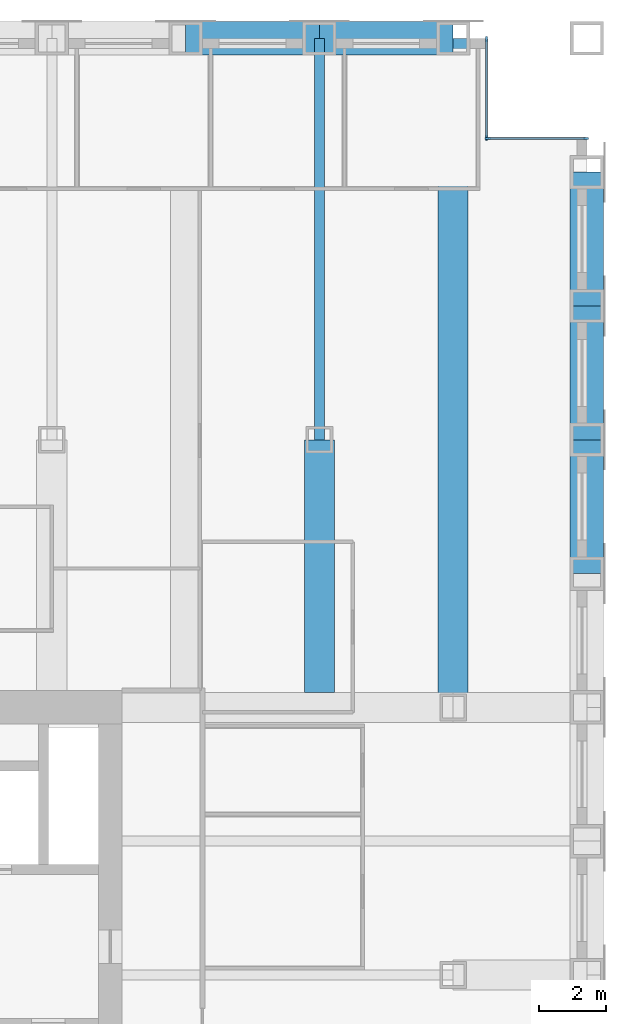
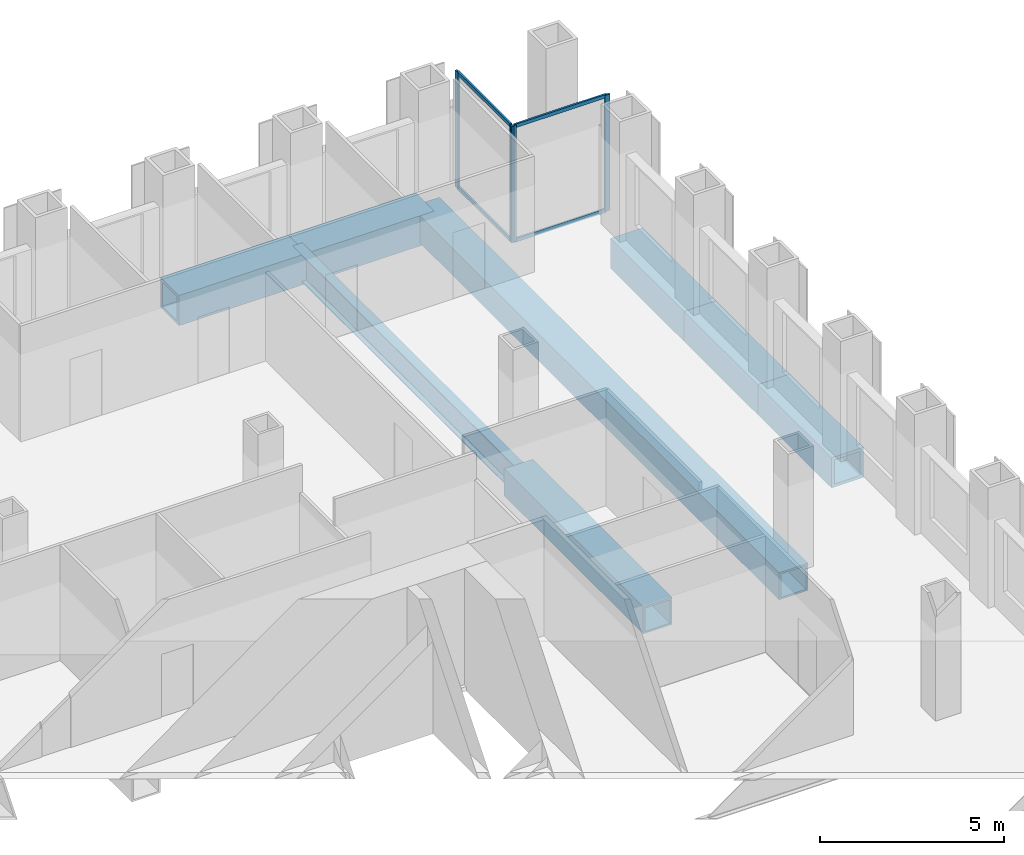
# One storey, part 7 of 13: 8 beams, 8 members, 2 elements without a shape of their own.
"""IFC4 building model written with IfcOpenShell, lengths in metres."""

from ifc_helpers import new_model, si_unit, direction, frame, origin, origin_2d, place, context, subcontext, project, spatial, rectangle, hollow_rectangle, i_section, extrude, material, material_profile, profile_set, type_object, element, aggregate, save


model = new_model("IFC4")

# Units and contexts
model_context = context("Model", 3, precision=1e-05, world=origin(), true_north=direction((0.0, 1.0)))
body_context = subcontext(model_context, "Body", "Model", "MODEL_VIEW")
ifc_project = project(units=[si_unit("LENGTHUNIT", "METRE"), si_unit("AREAUNIT", "SQUARE_METRE"), si_unit("VOLUMEUNIT", "CUBIC_METRE"), si_unit("PLANEANGLEUNIT", "RADIAN"), si_unit("MASSUNIT", "GRAM", prefix="KILO")], contexts=[model_context])

# Site, building, storey
site_placement = place(None, origin())
site = spatial("IfcSite", under=ifc_project, at=site_placement, CompositionType="ELEMENT")
building_placement = place(site_placement, origin())
building = spatial("IfcBuilding", under=site, at=building_placement, Name="Rimbunsela Tower", CompositionType="ELEMENT")
storey_placement = place(building_placement, frame((0.0, 0.0, 214.199951171875)))
storey = spatial("IfcBuildingStorey", under=building, at=storey_placement, Name="L51", CompositionType="ELEMENT", Elevation=214.199951171875)

# Beams
ifc_material_1 = material(Name="Steel BJ 55 (fy 410 MPa)", Category="steel")
ifc_material_profile_1 = material_profile(ifc_material_1, hollow_rectangle(XDim=1.0, YDim=1.0, WallThickness=0.10009765625, at=origin_2d()), Name="BOX 1000x1000x100")
ifc_profile_set_1 = profile_set([ifc_material_profile_1], Name="Steel BJ 55 (fy 410 MPa)")
beam_type_1 = type_object("IfcBeamType", Name="Beam BOX 1000x1000x100", PredefinedType="BEAM", material=ifc_profile_set_1)
for number, where, z_axis, x_axis, name in (
    (1, (38.0, 56.0, -0.64990234375), (1.0, 0.0, 0.0), (0.0, 1.0, 0.0), "Beam B3 L51"),
    (2, (42.0, 56.0, -0.64990234375), (1.0, 0.0, 0.0), (0.0, 1.0, 0.0), "Beam B3 L51"),
    (3, (50.0, 40.0, -0.64990234375), (0.0, 1.0, 0.0), (-1.0, 0.0, 0.0), "Beam B3 L51"),
    (4, (50.0, 44.0, -0.64990234375), (0.0, 1.0, 0.0), (-1.0, 0.0, 0.0), "Beam B3 L51"),
    (5, (50.0, 48.0, -0.64990234375), (0.0, 1.0, 0.0), (-1.0, 0.0, 0.0), "Beam B3 L51"),
):
    element("IfcBeam", number, at=place(storey_placement, frame(where, z_axis=z_axis, x_axis=x_axis)), inside=storey, type_object=beam_type_1, Name=name, PredefinedType="BEAM", context=body_context, shape_type="SweptSolid", body=[
        extrude(hollow_rectangle(XDim=1.0, YDim=1.0, WallThickness=0.10009765625, at=origin_2d()), origin(), (0.0, 0.0, 1.0), 4.0),
    ])
ifc_material_2 = material(Name="Steel BJ 55 (fy 410 MPa)", Category="steel")
ifc_material_profile_2 = material_profile(ifc_material_2, hollow_rectangle(XDim=0.89990234375, YDim=0.89990234375, WallThickness=0.06005859375, at=origin_2d()), Name="BOX 900x900x60")
ifc_profile_set_2 = profile_set([ifc_material_profile_2], Name="Steel BJ 55 (fy 410 MPa)")
beam_type_2 = type_object("IfcBeamType", Name="Beam BOX 900x900x60", PredefinedType="BEAM", material=ifc_profile_set_2)
beam_1_placement = place(storey_placement, frame((42.0, 36.449951171875, -0.599853515625), z_axis=(0.0, 1.0, 0.0), x_axis=(-1.0, 0.0, 0.0)))
element("IfcBeam", 6, at=beam_1_placement, inside=storey, type_object=beam_type_2, Name="Beam B1 L51", PredefinedType="BEAM", context=body_context, shape_type="SweptSolid", body=[
    extrude(hollow_rectangle(XDim=0.89990234375, YDim=0.89990234375, WallThickness=0.06005859375, at=origin_2d()), origin(), (0.0, 0.0, 1.0), 7.550048828125),
])
beam_2_placement = place(storey_placement, frame((46.0, 36.0, -0.599853515625), z_axis=(0.0, 1.0, 0.0), x_axis=(-1.0, 0.0, 0.0)))
element("IfcBeam", 7, at=beam_2_placement, inside=storey, type_object=beam_type_2, Name="Beam B1 L51", PredefinedType="BEAM", context=body_context, shape_type="SweptSolid", body=[
    extrude(hollow_rectangle(XDim=0.89990234375, YDim=0.89990234375, WallThickness=0.06005859375, at=origin_2d()), origin(), (0.0, 0.0, 1.0), 20.0),
])
ifc_material_3 = material(Name="Steel BJ 55 (fy 410 MPa)", Category="steel")
ifc_material_profile_3 = material_profile(ifc_material_3, i_section(OverallWidth=0.300048828125, OverallDepth=0.89990234375, WebThickness=0.01611328125, FlangeThickness=0.028076171875, FilletRadius=0.028076171875, at=origin_2d()), Name="H 900x300x16x28")
ifc_profile_set_3 = profile_set([ifc_material_profile_3], Name="Steel BJ 55 (fy 410 MPa)")
beam_type_3 = type_object("IfcBeamType", Name="Beam H 900x300x16x28", PredefinedType="BEAM", material=ifc_profile_set_3)
beam_3_placement = place(storey_placement, frame((42.0, 44.0, -0.599853515625), z_axis=(0.0, 1.0, 0.0), x_axis=(-1.0, 0.0, 0.0)))
element("IfcBeam", 8, at=beam_3_placement, inside=storey, type_object=beam_type_3, Name="Beam B2 L51", PredefinedType="BEAM", context=body_context, shape_type="SweptSolid", body=[
    extrude(i_section(OverallWidth=0.300048828125, OverallDepth=0.89990234375, WebThickness=0.01611328125, FlangeThickness=0.028076171875, FilletRadius=0.028076171875, at=origin_2d()), origin(), (0.0, 0.0, 1.0), 12.0),
])

# Curtain wall, members
ifc_material_4 = material(Name="Aluminium curtain wall", Category="aluminium")
curtain_wall_type = type_object("IfcCurtainWallType", Name="Corner glazing", PredefinedType="USERDEFINED", material=ifc_material_4)
curtain_wall_1_placement = place(storey_placement, origin())
curtain_wall_1 = element("IfcCurtainWall", 9, at=curtain_wall_1_placement, inside=storey, type_object=curtain_wall_type, Name="Corner glazing L51", ObjectType="CORNER GLAZING", PredefinedType="USERDEFINED")
ifc_material_5 = material(Name="Aluminium mullion", Category="aluminium")
ifc_material_profile_4 = material_profile(ifc_material_5, rectangle(XDim=0.06005859375, YDim=0.159912109375, at=origin_2d()), Name="Mullion 60x160")
ifc_profile_set_4 = profile_set([ifc_material_profile_4], Name="Aluminium mullion")
member_type_1 = type_object("IfcMemberType", Name="Curtain wall mullion 60x160", PredefinedType="MULLION", material=ifc_profile_set_4)
member_1_placement = place(storey_placement, frame((49.969970703125, 53.0, 0.0), z_axis=(0.0, 0.0, 1.0), x_axis=(0.0, -1.0, 0.0)))
member_1 = element("IfcMember", 10, at=member_1_placement, type_object=member_type_1, Name="CW5 mullion 1", PredefinedType="MULLION", context=body_context, shape_type="SweptSolid", body=[
    extrude(rectangle(XDim=0.06005859375, YDim=0.159912109375, at=origin_2d()), origin(), (0.0, 0.0, 1.0), 3.85009765625),
])
member_2_placement = place(storey_placement, frame((47.030029296875, 53.0, 0.0), z_axis=(0.0, 0.0, 1.0), x_axis=(0.0, -1.0, 0.0)))
member_2 = element("IfcMember", 11, at=member_2_placement, type_object=member_type_1, Name="CW5 mullion 2", PredefinedType="MULLION", context=body_context, shape_type="SweptSolid", body=[
    extrude(rectangle(XDim=0.06005859375, YDim=0.159912109375, at=origin_2d()), origin(), (0.0, 0.0, 1.0), 3.85009765625),
])

curtain_wall_2_placement = place(storey_placement, origin())
curtain_wall_2 = element("IfcCurtainWall", 12, at=curtain_wall_2_placement, inside=storey, type_object=curtain_wall_type, Name="Corner glazing L51", ObjectType="CORNER GLAZING", PredefinedType="USERDEFINED")
member_3_placement = place(storey_placement, frame((47.0, 53.030029296875, 0.0), z_axis=(0.0, 0.0, 1.0), x_axis=(-1.0, 0.0, 0.0)))
member_3 = element("IfcMember", 13, at=member_3_placement, type_object=member_type_1, Name="CW5 mullion 1", PredefinedType="MULLION", context=body_context, shape_type="SweptSolid", body=[
    extrude(rectangle(XDim=0.06005859375, YDim=0.159912109375, at=origin_2d()), origin(), (0.0, 0.0, 1.0), 3.85009765625),
])
member_4_placement = place(storey_placement, frame((47.0, 55.969970703125, 0.0), z_axis=(0.0, 0.0, 1.0), x_axis=(-1.0, 0.0, 0.0)))
member_4 = element("IfcMember", 14, at=member_4_placement, type_object=member_type_1, Name="CW5 mullion 2", PredefinedType="MULLION", context=body_context, shape_type="SweptSolid", body=[
    extrude(rectangle(XDim=0.06005859375, YDim=0.159912109375, at=origin_2d()), origin(), (0.0, 0.0, 1.0), 3.85009765625),
])

# Member
ifc_material_6 = material(Name="Aluminium transom", Category="aluminium")
ifc_material_profile_5 = material_profile(ifc_material_6, rectangle(XDim=0.06005859375, YDim=0.1201171875, at=origin_2d()), Name="Transom 60x120")
ifc_profile_set_5 = profile_set([ifc_material_profile_5], Name="Aluminium transom")
member_type_2 = type_object("IfcMemberType", Name="Curtain wall transom 60x120", PredefinedType="USERDEFINED", material=ifc_profile_set_5)
member_5_placement = place(storey_placement, frame((49.93994140625, 53.0, 0.030029296875), z_axis=(-1.0, 0.0, 0.0), x_axis=(0.0, -1.0, 0.0)))
member_5 = element("IfcMember", 15, at=member_5_placement, type_object=member_type_2, Name="CW5 transom 1.1", ObjectType="TRANSOM", PredefinedType="USERDEFINED", context=body_context, shape_type="SweptSolid", body=[
    extrude(rectangle(XDim=0.06005859375, YDim=0.1201171875, at=origin_2d()), origin(), (0.0, 0.0, 1.0), 2.8798828125),
])

member_6_placement = place(storey_placement, frame((49.93994140625, 53.0, 3.820068359375), z_axis=(-1.0, 0.0, 0.0), x_axis=(0.0, -1.0, 0.0)))
member_6 = element("IfcMember", 16, at=member_6_placement, type_object=member_type_2, Name="CW5 transom 1.2", ObjectType="TRANSOM", PredefinedType="USERDEFINED", context=body_context, shape_type="SweptSolid", body=[
    extrude(rectangle(XDim=0.06005859375, YDim=0.1201171875, at=origin_2d()), origin(), (0.0, 0.0, 1.0), 2.8798828125),
])

aggregate(curtain_wall_1, [member_1, member_2, member_5, member_6])

member_7_placement = place(storey_placement, frame((47.0, 53.06005859375, 0.030029296875), z_axis=(0.0, 1.0, 0.0), x_axis=(-1.0, 0.0, 0.0)))
member_7 = element("IfcMember", 17, at=member_7_placement, type_object=member_type_2, Name="CW5 transom 1.1", ObjectType="TRANSOM", PredefinedType="USERDEFINED", context=body_context, shape_type="SweptSolid", body=[
    extrude(rectangle(XDim=0.06005859375, YDim=0.1201171875, at=origin_2d()), origin(), (0.0, 0.0, 1.0), 2.8798828125),
])

member_8_placement = place(storey_placement, frame((47.0, 53.06005859375, 3.820068359375), z_axis=(0.0, 1.0, 0.0), x_axis=(-1.0, 0.0, 0.0)))
member_8 = element("IfcMember", 18, at=member_8_placement, type_object=member_type_2, Name="CW5 transom 1.2", ObjectType="TRANSOM", PredefinedType="USERDEFINED", context=body_context, shape_type="SweptSolid", body=[
    extrude(rectangle(XDim=0.06005859375, YDim=0.1201171875, at=origin_2d()), origin(), (0.0, 0.0, 1.0), 2.8798828125),
])

aggregate(curtain_wall_2, [member_3, member_4, member_7, member_8])

save(model, "model.ifc")
